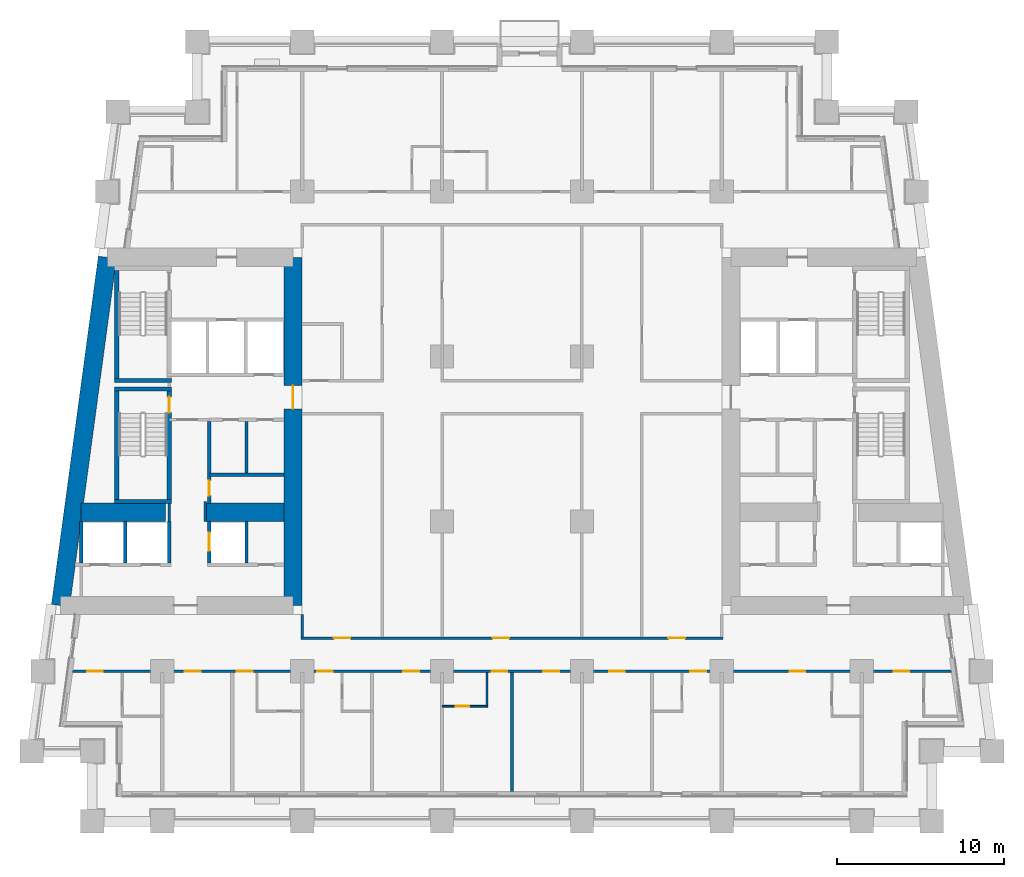
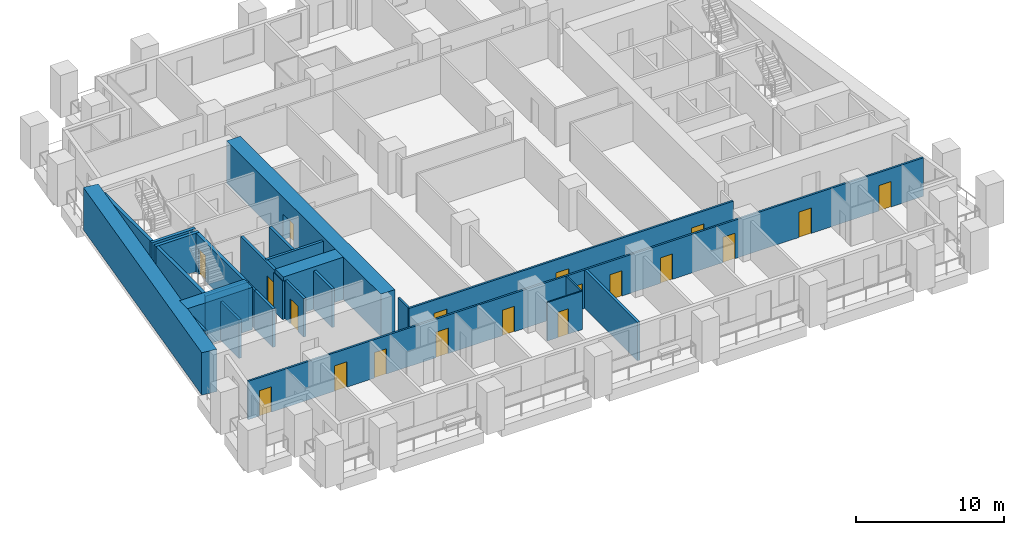
# One storey, part 3 of 12: 26 walls, 19 doors, 19 openings.
"""IFC4 building model written with IfcOpenShell, lengths in metres."""

from ifc_helpers import new_model, si_unit, direction, frame, frame_2d, origin, place, context, subcontext, project, spatial, rectangle, extrude, material, layer, layer_set, type_object, element, fill, save


model = new_model("IFC4")

# Units and contexts
model_context = context("Model", 3, precision=1e-05, world=origin(), true_north=direction((0.0, 1.0)))
body_context = subcontext(model_context, "Body", "Model", "MODEL_VIEW")
ifc_project = project(units=[si_unit("LENGTHUNIT", "METRE"), si_unit("AREAUNIT", "SQUARE_METRE"), si_unit("VOLUMEUNIT", "CUBIC_METRE"), si_unit("PLANEANGLEUNIT", "RADIAN"), si_unit("MASSUNIT", "GRAM", prefix="KILO")], contexts=[model_context])

# Site, building, storey
site_placement = place(None, origin())
site = spatial("IfcSite", under=ifc_project, at=site_placement, CompositionType="ELEMENT")
building_placement = place(site_placement, origin())
building = spatial("IfcBuilding", under=site, at=building_placement, Name="Candeia Pilgrim Tower and Theatre", CompositionType="ELEMENT")
storey_placement = place(building_placement, frame((0.0, 0.0, 49.5)))
storey = spatial("IfcBuildingStorey", under=building, at=storey_placement, Name="L09", CompositionType="ELEMENT", Elevation=49.5)

# Wall, opening, door
ifc_material_1 = material(Name="Concrete C80/95", Category="concrete")
ifc_layer_1 = layer(ifc_material_1, 1.10009765625)
ifc_layer_set_1 = layer_set([ifc_layer_1], Name="Core wall 1100 C80/95")
wall_type_1 = type_object("IfcWallType", Name="Core wall 1100 C80/95", PredefinedType="SHEAR", material=ifc_layer_set_1)
wall_1_placement = place(storey_placement, frame((100.25, 131.85009765625, 0.0), z_axis=(0.0, 0.0, 1.0), x_axis=(0.0, -1.0, 0.0)))
wall_1 = element("IfcWall", 1, at=wall_1_placement, inside=storey, type_object=wall_type_1, Name="Core wall W2", PredefinedType="SHEAR", context=body_context, shape_type="SweptSolid", body=[
    extrude(rectangle(XDim=20.900146484375, YDim=1.10009765625, at=frame_2d((10.4501953125, 0.0))), origin(), (0.0, 0.0, 1.0), 3.5),
])
opening_1_placement = place(wall_1_placement, frame((7.699951171875, 0.0, 0.0)))
opening_1 = element("IfcOpeningElement", 2, at=opening_1_placement, cuts=wall_1, Name="Opening L09-D056", PredefinedType="OPENING", context=body_context, shape_type="SweptSolid", body=[
    extrude(rectangle(XDim=1.39990234375, YDim=2.10009765625, at=frame_2d((0.699951171875, 1.050048828125))), frame((0.0, 0.56005859375, 0.0), z_axis=(0.0, -1.0, 0.0), x_axis=(1.0, 0.0, 0.0)), (0.0, 0.0, 1.0), 1.1201171875),
])
ifc_material_2 = material(Name="Steel fire door set", Category="steel")
door_type_1 = type_object("IfcDoorType", Name="D-1400-FD60", OperationType="NOTDEFINED", PredefinedType="DOOR", material=ifc_material_2)
door_1_placement = place(opening_1_placement, origin())
door_1 = element("IfcDoor", 3, at=door_1_placement, inside=storey, type_object=door_type_1, Name="Door L09-D056", OperationType="SINGLE_SWING_LEFT", OverallHeight=2.10009765625, OverallWidth=1.39990234375, PredefinedType="DOOR", context=body_context, shape_type="SweptSolid", body=[
    extrude(rectangle(XDim=1.39990234375, YDim=2.10009765625, at=frame_2d((0.699951171875, 1.050048828125))), frame((0.0, 0.02490234375, 0.0), z_axis=(0.0, -1.0, 0.0), x_axis=(1.0, 0.0, 0.0)), (0.0, 0.0, 1.0), 0.050048828125),
])
fill(opening_1, door_1)

# Walls
wall_2_placement = place(storey_placement, frame((86.29833984375, 110.949951171875, 0.0), z_axis=(0.0, 0.0, 1.0), x_axis=(0.133400422634, 0.99106222168, 0.0)))
element("IfcWall", 4, at=wall_2_placement, inside=storey, type_object=wall_type_1, Name="Core wall W4", PredefinedType="SHEAR", context=body_context, shape_type="SweptSolid", body=[
    extrude(rectangle(XDim=21.088623046875, YDim=1.10009765625, at=frame_2d((10.54443359375, 0.0))), origin(), (0.0, 0.0, 1.0), 3.5),
])
wall_3_placement = place(storey_placement, frame((87.523193359375, 116.550048828125, 0.0), z_axis=(0.0, 0.0, 1.0), x_axis=(1.0, 0.0, 0.0)))
element("IfcWall", 5, at=wall_3_placement, inside=storey, type_object=wall_type_1, Name="Core wall W5", PredefinedType="SHEAR", context=body_context, shape_type="SweptSolid", body=[
    extrude(rectangle(XDim=5.076904296875, YDim=1.10009765625, at=frame_2d((2.53857421875, 0.0))), origin(), (0.0, 0.0, 1.0), 3.5),
])
wall_4_placement = place(storey_placement, frame((95.0, 116.550048828125, 0.0), z_axis=(0.0, 0.0, 1.0), x_axis=(1.0, 0.0, 0.0)))
element("IfcWall", 6, at=wall_4_placement, inside=storey, type_object=wall_type_1, Name="Core wall W6", PredefinedType="SHEAR", context=body_context, shape_type="SweptSolid", body=[
    extrude(rectangle(XDim=4.699951171875, YDim=1.10009765625, at=frame_2d((2.35009765625, 0.0))), origin(), (0.0, 0.0, 1.0), 3.5),
])

# Wall, opening, door
ifc_material_3 = material(Name="Gypsum board partition on steel studs", Category="steel")
ifc_layer_2 = layer(ifc_material_3, 0.10009765625)
ifc_layer_set_2 = layer_set([ifc_layer_2], Name="PW-100 room partition")
wall_type_2 = type_object("IfcWallType", Name="PW-100 room partition", PredefinedType="PARTITIONING", material=ifc_layer_set_2)
wall_5_placement = place(storey_placement, frame((109.199951171875, 104.89990234375, 0.0), z_axis=(0.0, 0.0, 1.0), x_axis=(1.0, 0.0, 0.0)))
wall_5 = element("IfcWall", 7, at=wall_5_placement, inside=storey, type_object=wall_type_2, Name="Room partition L09-007", PredefinedType="PARTITIONING", context=body_context, shape_type="SweptSolid", body=[
    extrude(rectangle(XDim=2.75, YDim=0.10009765625, at=frame_2d((1.375, 0.0))), origin(), (0.0, 0.0, 1.0), 3.179931640625),
])
opening_2_placement = place(wall_5_placement, frame((0.830078125, 0.0, 0.0)))
opening_2 = element("IfcOpeningElement", 8, at=opening_2_placement, cuts=wall_5, Name="Opening L09-D026", PredefinedType="OPENING", context=body_context, shape_type="SweptSolid", body=[
    extrude(rectangle(XDim=0.800048828125, YDim=2.10009765625, at=frame_2d((0.39990234375, 1.050048828125))), frame((0.0, 0.06005859375, 0.0), z_axis=(0.0, -1.0, 0.0), x_axis=(1.0, 0.0, 0.0)), (0.0, 0.0, 1.0), 0.1201171875),
])
ifc_material_4 = material(Name="Timber door leaf", Category="wood")
door_type_2 = type_object("IfcDoorType", Name="D-800", OperationType="NOTDEFINED", PredefinedType="DOOR", material=ifc_material_4)
door_2_placement = place(opening_2_placement, origin())
door_2 = element("IfcDoor", 9, at=door_2_placement, inside=storey, type_object=door_type_2, Name="Door L09-D026", OperationType="SINGLE_SWING_LEFT", OverallHeight=2.10009765625, OverallWidth=0.800048828125, PredefinedType="DOOR", context=body_context, shape_type="SweptSolid", body=[
    extrude(rectangle(XDim=0.800048828125, YDim=2.10009765625, at=frame_2d((0.39990234375, 1.050048828125))), frame((0.0, 0.02490234375, 0.0), z_axis=(0.0, -1.0, 0.0), x_axis=(1.0, 0.0, 0.0)), (0.0, 0.0, 1.0), 0.050048828125),
])
fill(opening_2, door_2)

# Walls
wall_6_placement = place(storey_placement, frame((111.89990234375, 104.949951171875, 0.0), z_axis=(0.0, 0.0, 1.0), x_axis=(0.0, 1.0, 0.0)))
element("IfcWall", 10, at=wall_6_placement, inside=storey, type_object=wall_type_2, Name="Room partition L09-084", PredefinedType="PARTITIONING", context=body_context, shape_type="SweptSolid", body=[
    extrude(rectangle(XDim=1.97509765625, YDim=0.10009765625, at=frame_2d((0.987548828125, 0.0))), origin(), (0.0, 0.0, 1.0), 3.179931640625),
])
ifc_layer_3 = layer(ifc_material_3, 0.14990234375)
ifc_layer_set_3 = layer_set([ifc_layer_3], Name="PW-150 lobby wall")
wall_type_3 = type_object("IfcWallType", Name="PW-150 lobby wall", PredefinedType="PARTITIONING", material=ifc_layer_set_3)
wall_7_placement = place(storey_placement, frame((92.826904296875, 116.0, 0.0), z_axis=(0.0, 0.0, 1.0), x_axis=(0.0, 1.0, 0.0)))
element("IfcWall", 11, at=wall_7_placement, inside=storey, type_object=wall_type_3, Name="Lobby wall L09-055", PredefinedType="PARTITIONING", context=body_context, shape_type="SweptSolid", body=[
    extrude(rectangle(XDim=1.070068359375, YDim=0.14990234375, at=frame_2d((0.53515625, 0.0))), origin(), (0.0, 0.0, 1.0), 3.179931640625),
])
wall_8_placement = place(storey_placement, frame((95.0, 116.0, 0.0), z_axis=(0.0, 0.0, 1.0), x_axis=(0.0, 1.0, 0.0)))
element("IfcWall", 12, at=wall_8_placement, inside=storey, type_object=wall_type_3, Name="Lobby wall L09-060", PredefinedType="PARTITIONING", context=body_context, shape_type="SweptSolid", body=[
    extrude(rectangle(XDim=1.199951171875, YDim=0.14990234375, at=frame_2d((0.60009765625, 0.0))), origin(), (0.0, 0.0, 1.0), 3.179931640625),
])

# Wall, openings, doors
ifc_layer_4 = layer(ifc_material_3, 0.14990234375)
ifc_layer_set_4 = layer_set([ifc_layer_4], Name="PW-150 unit wall")
wall_type_4 = type_object("IfcWallType", Name="PW-150 unit wall", PredefinedType="PARTITIONING", material=ifc_layer_set_4)
wall_9_placement = place(storey_placement, frame((87.017578125, 107.0, 0.0), z_axis=(0.0, 0.0, 1.0), x_axis=(1.0, 0.0, 0.0)))
wall_9 = element("IfcWall", 13, at=wall_9_placement, inside=storey, type_object=wall_type_4, Name="Unit wall L09-008", PredefinedType="PARTITIONING", context=body_context, shape_type="SweptSolid", body=[
    extrude(rectangle(XDim=52.7646484375, YDim=0.14990234375, at=frame_2d((26.38232421875, 0.0))), origin(), (0.0, 0.0, 1.0), 3.179931640625),
])
opening_3_placement = place(wall_9_placement, frame((0.870361328125, 0.0, 0.0)))
opening_3 = element("IfcOpeningElement", 14, at=opening_3_placement, cuts=wall_9, Name="Opening L09-D017", PredefinedType="OPENING", context=body_context, shape_type="SweptSolid", body=[
    extrude(rectangle(XDim=0.949951171875, YDim=2.10009765625, at=frame_2d((0.47509765625, 1.050048828125))), frame((0.0, 0.0849609375, 0.0), z_axis=(0.0, -1.0, 0.0), x_axis=(1.0, 0.0, 0.0)), (0.0, 0.0, 1.0), 0.169921875),
])
opening_4_placement = place(wall_9_placement, frame((6.752197265625, 0.0, 0.0)))
opening_4 = element("IfcOpeningElement", 15, at=opening_4_placement, cuts=wall_9, Name="Opening L09-D019", PredefinedType="OPENING", context=body_context, shape_type="SweptSolid", body=[
    extrude(rectangle(XDim=0.949951171875, YDim=2.10009765625, at=frame_2d((0.47509765625, 1.050048828125))), frame((0.0, 0.0849609375, 0.0), z_axis=(0.0, -1.0, 0.0), x_axis=(1.0, 0.0, 0.0)), (0.0, 0.0, 1.0), 0.169921875),
])
opening_5_placement = place(wall_9_placement, frame((9.857421875, 0.0, 0.0)))
opening_5 = element("IfcOpeningElement", 16, at=opening_5_placement, cuts=wall_9, Name="Opening L09-D020", PredefinedType="OPENING", context=body_context, shape_type="SweptSolid", body=[
    extrude(rectangle(XDim=0.949951171875, YDim=2.10009765625, at=frame_2d((0.47509765625, 1.050048828125))), frame((0.0, 0.0849609375, 0.0), z_axis=(0.0, -1.0, 0.0), x_axis=(1.0, 0.0, 0.0)), (0.0, 0.0, 1.0), 0.169921875),
])
opening_6_placement = place(wall_9_placement, frame((14.682373046875, 0.0, 0.0)))
opening_6 = element("IfcOpeningElement", 17, at=opening_6_placement, cuts=wall_9, Name="Opening L09-D022", PredefinedType="OPENING", context=body_context, shape_type="SweptSolid", body=[
    extrude(rectangle(XDim=0.949951171875, YDim=2.10009765625, at=frame_2d((0.47509765625, 1.050048828125))), frame((0.0, 0.0849609375, 0.0), z_axis=(0.0, -1.0, 0.0), x_axis=(1.0, 0.0, 0.0)), (0.0, 0.0, 1.0), 0.169921875),
])
opening_7_placement = place(wall_9_placement, frame((19.8623046875, 0.0, 0.0)))
opening_7 = element("IfcOpeningElement", 18, at=opening_7_placement, cuts=wall_9, Name="Opening L09-D024", PredefinedType="OPENING", context=body_context, shape_type="SweptSolid", body=[
    extrude(rectangle(XDim=0.949951171875, YDim=2.10009765625, at=frame_2d((0.47509765625, 1.050048828125))), frame((0.0, 0.0849609375, 0.0), z_axis=(0.0, -1.0, 0.0), x_axis=(1.0, 0.0, 0.0)), (0.0, 0.0, 1.0), 0.169921875),
])
opening_8_placement = place(wall_9_placement, frame((25.1572265625, 0.0, 0.0)))
opening_8 = element("IfcOpeningElement", 19, at=opening_8_placement, cuts=wall_9, Name="Opening L09-D025", PredefinedType="OPENING", context=body_context, shape_type="SweptSolid", body=[
    extrude(rectangle(XDim=0.949951171875, YDim=2.10009765625, at=frame_2d((0.47509765625, 1.050048828125))), frame((0.0, 0.0849609375, 0.0), z_axis=(0.0, -1.0, 0.0), x_axis=(1.0, 0.0, 0.0)), (0.0, 0.0, 1.0), 0.169921875),
])
opening_9_placement = place(wall_9_placement, frame((28.26220703125, 0.0, 0.0)))
opening_9 = element("IfcOpeningElement", 20, at=opening_9_placement, cuts=wall_9, Name="Opening L09-D027", PredefinedType="OPENING", context=body_context, shape_type="SweptSolid", body=[
    extrude(rectangle(XDim=0.949951171875, YDim=2.10009765625, at=frame_2d((0.47509765625, 1.050048828125))), frame((0.0, 0.0849609375, 0.0), z_axis=(0.0, -1.0, 0.0), x_axis=(1.0, 0.0, 0.0)), (0.0, 0.0, 1.0), 0.169921875),
])
opening_10_placement = place(wall_9_placement, frame((32.207275390625, 0.0, 0.0)))
opening_10 = element("IfcOpeningElement", 21, at=opening_10_placement, cuts=wall_9, Name="Opening L09-D028", PredefinedType="OPENING", context=body_context, shape_type="SweptSolid", body=[
    extrude(rectangle(XDim=0.949951171875, YDim=2.10009765625, at=frame_2d((0.47509765625, 1.050048828125))), frame((0.0, 0.0849609375, 0.0), z_axis=(0.0, -1.0, 0.0), x_axis=(1.0, 0.0, 0.0)), (0.0, 0.0, 1.0), 0.169921875),
])
opening_11_placement = place(wall_9_placement, frame((37.09423828125, 0.0, 0.0)))
opening_11 = element("IfcOpeningElement", 22, at=opening_11_placement, cuts=wall_9, Name="Opening L09-D029", PredefinedType="OPENING", context=body_context, shape_type="SweptSolid", body=[
    extrude(rectangle(XDim=0.949951171875, YDim=2.10009765625, at=frame_2d((0.47509765625, 1.050048828125))), frame((0.0, 0.0849609375, 0.0), z_axis=(0.0, -1.0, 0.0), x_axis=(1.0, 0.0, 0.0)), (0.0, 0.0, 1.0), 0.169921875),
])
opening_12_placement = place(wall_9_placement, frame((43.04541015625, 0.0, 0.0)))
opening_12 = element("IfcOpeningElement", 23, at=opening_12_placement, cuts=wall_9, Name="Opening L09-D031", PredefinedType="OPENING", context=body_context, shape_type="SweptSolid", body=[
    extrude(rectangle(XDim=0.949951171875, YDim=2.10009765625, at=frame_2d((0.47509765625, 1.050048828125))), frame((0.0, 0.0849609375, 0.0), z_axis=(0.0, -1.0, 0.0), x_axis=(1.0, 0.0, 0.0)), (0.0, 0.0, 1.0), 0.169921875),
])
opening_13_placement = place(wall_9_placement, frame((49.285400390625, 0.0, 0.0)))
opening_13 = element("IfcOpeningElement", 24, at=opening_13_placement, cuts=wall_9, Name="Opening L09-D033", PredefinedType="OPENING", context=body_context, shape_type="SweptSolid", body=[
    extrude(rectangle(XDim=0.949951171875, YDim=2.10009765625, at=frame_2d((0.47509765625, 1.050048828125))), frame((0.0, 0.0849609375, 0.0), z_axis=(0.0, -1.0, 0.0), x_axis=(1.0, 0.0, 0.0)), (0.0, 0.0, 1.0), 0.169921875),
])
door_type_3 = type_object("IfcDoorType", Name="D-950-FD30S", OperationType="NOTDEFINED", PredefinedType="DOOR", material=ifc_material_2)
door_3_placement = place(opening_3_placement, origin())
door_3 = element("IfcDoor", 25, at=door_3_placement, inside=storey, type_object=door_type_3, Name="Door L09-D017", OperationType="SINGLE_SWING_RIGHT", OverallHeight=2.10009765625, OverallWidth=0.949951171875, PredefinedType="DOOR", context=body_context, shape_type="SweptSolid", body=[
    extrude(rectangle(XDim=0.949951171875, YDim=2.10009765625, at=frame_2d((0.47509765625, 1.050048828125))), frame((0.0, 0.02490234375, 0.0), z_axis=(0.0, -1.0, 0.0), x_axis=(1.0, 0.0, 0.0)), (0.0, 0.0, 1.0), 0.050048828125),
])
fill(opening_3, door_3)
door_4_placement = place(opening_4_placement, origin())
door_4 = element("IfcDoor", 26, at=door_4_placement, inside=storey, type_object=door_type_3, Name="Door L09-D019", OperationType="SINGLE_SWING_RIGHT", OverallHeight=2.10009765625, OverallWidth=0.949951171875, PredefinedType="DOOR", context=body_context, shape_type="SweptSolid", body=[
    extrude(rectangle(XDim=0.949951171875, YDim=2.10009765625, at=frame_2d((0.47509765625, 1.050048828125))), frame((0.0, 0.02490234375, 0.0), z_axis=(0.0, -1.0, 0.0), x_axis=(1.0, 0.0, 0.0)), (0.0, 0.0, 1.0), 0.050048828125),
])
fill(opening_4, door_4)
door_5_placement = place(opening_5_placement, origin())
door_5 = element("IfcDoor", 27, at=door_5_placement, inside=storey, type_object=door_type_3, Name="Door L09-D020", OperationType="SINGLE_SWING_LEFT", OverallHeight=2.10009765625, OverallWidth=0.949951171875, PredefinedType="DOOR", context=body_context, shape_type="SweptSolid", body=[
    extrude(rectangle(XDim=0.949951171875, YDim=2.10009765625, at=frame_2d((0.47509765625, 1.050048828125))), frame((0.0, 0.02490234375, 0.0), z_axis=(0.0, -1.0, 0.0), x_axis=(1.0, 0.0, 0.0)), (0.0, 0.0, 1.0), 0.050048828125),
])
fill(opening_5, door_5)
door_6_placement = place(opening_6_placement, origin())
door_6 = element("IfcDoor", 28, at=door_6_placement, inside=storey, type_object=door_type_3, Name="Door L09-D022", OperationType="SINGLE_SWING_LEFT", OverallHeight=2.10009765625, OverallWidth=0.949951171875, PredefinedType="DOOR", context=body_context, shape_type="SweptSolid", body=[
    extrude(rectangle(XDim=0.949951171875, YDim=2.10009765625, at=frame_2d((0.47509765625, 1.050048828125))), frame((0.0, 0.02490234375, 0.0), z_axis=(0.0, -1.0, 0.0), x_axis=(1.0, 0.0, 0.0)), (0.0, 0.0, 1.0), 0.050048828125),
])
fill(opening_6, door_6)
door_7_placement = place(opening_7_placement, origin())
door_7 = element("IfcDoor", 29, at=door_7_placement, inside=storey, type_object=door_type_3, Name="Door L09-D024", OperationType="SINGLE_SWING_LEFT", OverallHeight=2.10009765625, OverallWidth=0.949951171875, PredefinedType="DOOR", context=body_context, shape_type="SweptSolid", body=[
    extrude(rectangle(XDim=0.949951171875, YDim=2.10009765625, at=frame_2d((0.47509765625, 1.050048828125))), frame((0.0, 0.02490234375, 0.0), z_axis=(0.0, -1.0, 0.0), x_axis=(1.0, 0.0, 0.0)), (0.0, 0.0, 1.0), 0.050048828125),
])
fill(opening_7, door_7)
door_8_placement = place(opening_8_placement, origin())
door_8 = element("IfcDoor", 30, at=door_8_placement, inside=storey, type_object=door_type_3, Name="Door L09-D025", OperationType="SINGLE_SWING_RIGHT", OverallHeight=2.10009765625, OverallWidth=0.949951171875, PredefinedType="DOOR", context=body_context, shape_type="SweptSolid", body=[
    extrude(rectangle(XDim=0.949951171875, YDim=2.10009765625, at=frame_2d((0.47509765625, 1.050048828125))), frame((0.0, 0.02490234375, 0.0), z_axis=(0.0, -1.0, 0.0), x_axis=(1.0, 0.0, 0.0)), (0.0, 0.0, 1.0), 0.050048828125),
])
fill(opening_8, door_8)
door_9_placement = place(opening_9_placement, origin())
door_9 = element("IfcDoor", 31, at=door_9_placement, inside=storey, type_object=door_type_3, Name="Door L09-D027", OperationType="SINGLE_SWING_RIGHT", OverallHeight=2.10009765625, OverallWidth=0.949951171875, PredefinedType="DOOR", context=body_context, shape_type="SweptSolid", body=[
    extrude(rectangle(XDim=0.949951171875, YDim=2.10009765625, at=frame_2d((0.47509765625, 1.050048828125))), frame((0.0, 0.02490234375, 0.0), z_axis=(0.0, -1.0, 0.0), x_axis=(1.0, 0.0, 0.0)), (0.0, 0.0, 1.0), 0.050048828125),
])
fill(opening_9, door_9)
door_10_placement = place(opening_10_placement, origin())
door_10 = element("IfcDoor", 32, at=door_10_placement, inside=storey, type_object=door_type_3, Name="Door L09-D028", OperationType="SINGLE_SWING_LEFT", OverallHeight=2.10009765625, OverallWidth=0.949951171875, PredefinedType="DOOR", context=body_context, shape_type="SweptSolid", body=[
    extrude(rectangle(XDim=0.949951171875, YDim=2.10009765625, at=frame_2d((0.47509765625, 1.050048828125))), frame((0.0, 0.02490234375, 0.0), z_axis=(0.0, -1.0, 0.0), x_axis=(1.0, 0.0, 0.0)), (0.0, 0.0, 1.0), 0.050048828125),
])
fill(opening_10, door_10)
door_11_placement = place(opening_11_placement, origin())
door_11 = element("IfcDoor", 33, at=door_11_placement, inside=storey, type_object=door_type_3, Name="Door L09-D029", OperationType="SINGLE_SWING_RIGHT", OverallHeight=2.10009765625, OverallWidth=0.949951171875, PredefinedType="DOOR", context=body_context, shape_type="SweptSolid", body=[
    extrude(rectangle(XDim=0.949951171875, YDim=2.10009765625, at=frame_2d((0.47509765625, 1.050048828125))), frame((0.0, 0.02490234375, 0.0), z_axis=(0.0, -1.0, 0.0), x_axis=(1.0, 0.0, 0.0)), (0.0, 0.0, 1.0), 0.050048828125),
])
fill(opening_11, door_11)
door_12_placement = place(opening_12_placement, origin())
door_12 = element("IfcDoor", 34, at=door_12_placement, inside=storey, type_object=door_type_3, Name="Door L09-D031", OperationType="SINGLE_SWING_RIGHT", OverallHeight=2.10009765625, OverallWidth=0.949951171875, PredefinedType="DOOR", context=body_context, shape_type="SweptSolid", body=[
    extrude(rectangle(XDim=0.949951171875, YDim=2.10009765625, at=frame_2d((0.47509765625, 1.050048828125))), frame((0.0, 0.02490234375, 0.0), z_axis=(0.0, -1.0, 0.0), x_axis=(1.0, 0.0, 0.0)), (0.0, 0.0, 1.0), 0.050048828125),
])
fill(opening_12, door_12)
door_13_placement = place(opening_13_placement, origin())
door_13 = element("IfcDoor", 35, at=door_13_placement, inside=storey, type_object=door_type_3, Name="Door L09-D033", OperationType="SINGLE_SWING_RIGHT", OverallHeight=2.10009765625, OverallWidth=0.949951171875, PredefinedType="DOOR", context=body_context, shape_type="SweptSolid", body=[
    extrude(rectangle(XDim=0.949951171875, YDim=2.10009765625, at=frame_2d((0.47509765625, 1.050048828125))), frame((0.0, 0.02490234375, 0.0), z_axis=(0.0, -1.0, 0.0), x_axis=(1.0, 0.0, 0.0)), (0.0, 0.0, 1.0), 0.050048828125),
])
fill(opening_13, door_13)

wall_10_placement = place(storey_placement, frame((100.72509765625, 109.0, 0.0), z_axis=(0.0, 0.0, 1.0), x_axis=(1.0, 0.0, 0.0)))
wall_10 = element("IfcWall", 36, at=wall_10_placement, inside=storey, type_object=wall_type_4, Name="Unit wall L09-009", PredefinedType="PARTITIONING", context=body_context, shape_type="SweptSolid", body=[
    extrude(rectangle(XDim=25.349853515625, YDim=0.14990234375, at=frame_2d((12.6748046875, 0.0))), origin(), (0.0, 0.0, 1.0), 3.179931640625),
])
opening_14_placement = place(wall_10_placement, frame((1.97509765625, 0.0, 0.0)))
opening_14 = element("IfcOpeningElement", 37, at=opening_14_placement, cuts=wall_10, Name="Opening L09-D048", PredefinedType="OPENING", context=body_context, shape_type="SweptSolid", body=[
    extrude(rectangle(XDim=1.0, YDim=2.10009765625, at=frame_2d((0.5, 1.050048828125))), frame((0.0, 0.0849609375, 0.0), z_axis=(0.0, -1.0, 0.0), x_axis=(1.0, 0.0, 0.0)), (0.0, 0.0, 1.0), 0.169921875),
])
opening_15_placement = place(wall_10_placement, frame((11.5048828125, 0.0, 0.0)))
opening_15 = element("IfcOpeningElement", 38, at=opening_15_placement, cuts=wall_10, Name="Opening L09-D049", PredefinedType="OPENING", context=body_context, shape_type="SweptSolid", body=[
    extrude(rectangle(XDim=1.0, YDim=2.10009765625, at=frame_2d((0.5, 1.050048828125))), frame((0.0, 0.0849609375, 0.0), z_axis=(0.0, -1.0, 0.0), x_axis=(1.0, 0.0, 0.0)), (0.0, 0.0, 1.0), 0.169921875),
])
opening_16_placement = place(wall_10_placement, frame((22.06494140625, 0.0, 0.0)))
opening_16 = element("IfcOpeningElement", 39, at=opening_16_placement, cuts=wall_10, Name="Opening L09-D050", PredefinedType="OPENING", context=body_context, shape_type="SweptSolid", body=[
    extrude(rectangle(XDim=1.0, YDim=2.10009765625, at=frame_2d((0.5, 1.050048828125))), frame((0.0, 0.0849609375, 0.0), z_axis=(0.0, -1.0, 0.0), x_axis=(1.0, 0.0, 0.0)), (0.0, 0.0, 1.0), 0.169921875),
])
door_type_4 = type_object("IfcDoorType", Name="D-1000-FD30S", OperationType="NOTDEFINED", PredefinedType="DOOR", material=ifc_material_2)
door_14_placement = place(opening_14_placement, origin())
door_14 = element("IfcDoor", 40, at=door_14_placement, inside=storey, type_object=door_type_4, Name="Door L09-D048", OperationType="SINGLE_SWING_LEFT", OverallHeight=2.10009765625, OverallWidth=1.0, PredefinedType="DOOR", context=body_context, shape_type="SweptSolid", body=[
    extrude(rectangle(XDim=1.0, YDim=2.10009765625, at=frame_2d((0.5, 1.050048828125))), frame((0.0, 0.02490234375, 0.0), z_axis=(0.0, -1.0, 0.0), x_axis=(1.0, 0.0, 0.0)), (0.0, 0.0, 1.0), 0.050048828125),
])
fill(opening_14, door_14)
door_15_placement = place(opening_15_placement, origin())
door_15 = element("IfcDoor", 41, at=door_15_placement, inside=storey, type_object=door_type_4, Name="Door L09-D049", OperationType="SINGLE_SWING_RIGHT", OverallHeight=2.10009765625, OverallWidth=1.0, PredefinedType="DOOR", context=body_context, shape_type="SweptSolid", body=[
    extrude(rectangle(XDim=1.0, YDim=2.10009765625, at=frame_2d((0.5, 1.050048828125))), frame((0.0, 0.02490234375, 0.0), z_axis=(0.0, -1.0, 0.0), x_axis=(1.0, 0.0, 0.0)), (0.0, 0.0, 1.0), 0.050048828125),
])
fill(opening_15, door_15)
door_16_placement = place(opening_16_placement, origin())
door_16 = element("IfcDoor", 42, at=door_16_placement, inside=storey, type_object=door_type_4, Name="Door L09-D050", OperationType="SINGLE_SWING_LEFT", OverallHeight=2.10009765625, OverallWidth=1.0, PredefinedType="DOOR", context=body_context, shape_type="SweptSolid", body=[
    extrude(rectangle(XDim=1.0, YDim=2.10009765625, at=frame_2d((0.5, 1.050048828125))), frame((0.0, 0.02490234375, 0.0), z_axis=(0.0, -1.0, 0.0), x_axis=(1.0, 0.0, 0.0)), (0.0, 0.0, 1.0), 0.050048828125),
])
fill(opening_16, door_16)

# Walls
wall_11_placement = place(storey_placement, frame((100.800048828125, 109.074951171875, 0.0), z_axis=(0.0, 0.0, 1.0), x_axis=(0.0, 1.0, 0.0)))
element("IfcWall", 43, at=wall_11_placement, inside=storey, type_object=wall_type_4, Name="Unit wall L09-072", PredefinedType="PARTITIONING", context=body_context, shape_type="SweptSolid", body=[
    extrude(rectangle(XDim=1.324951171875, YDim=0.14990234375, at=frame_2d((0.66259765625, 0.0))), origin(), (0.0, 0.0, 1.0), 3.179931640625),
])
ifc_layer_5 = layer(ifc_material_3, 0.199951171875)
ifc_layer_set_5 = layer_set([ifc_layer_5], Name="PW-200 party wall")
wall_type_5 = type_object("IfcWallType", Name="PW-200 party wall", PredefinedType="PARTITIONING", material=ifc_layer_set_5)
wall_12_placement = place(storey_placement, frame((113.39990234375, 99.7900390625, 0.0), z_axis=(0.0, 0.0, 1.0), x_axis=(0.0, 1.0, 0.0)))
element("IfcWall", 44, at=wall_12_placement, inside=storey, type_object=wall_type_5, Name="Party wall L09-086", PredefinedType="PARTITIONING", context=body_context, shape_type="SweptSolid", body=[
    extrude(rectangle(XDim=7.135009765625, YDim=0.199951171875, at=frame_2d((3.5673828125, 0.0))), origin(), (0.0, 0.0, 1.0), 3.179931640625),
])
ifc_material_5 = material(Name="Concrete C40/50", Category="concrete")
ifc_layer_6 = layer(ifc_material_5, 0.199951171875)
ifc_layer_set_6 = layer_set([ifc_layer_6], Name="SW-200 shaft wall")
wall_type_6 = type_object("IfcWallType", Name="SW-200 shaft wall", PredefinedType="PARTITIONING", material=ifc_layer_set_6)
wall_13_placement = place(storey_placement, frame((95.22705078125, 118.800048828125, 0.0), z_axis=(0.0, 0.0, 1.0), x_axis=(1.0, 0.0, 0.0)))
element("IfcWall", 45, at=wall_13_placement, inside=storey, type_object=wall_type_6, Name="Shaft wall L09-016", PredefinedType="PARTITIONING", context=body_context, shape_type="SweptSolid", body=[
    extrude(rectangle(XDim=4.472900390625, YDim=0.199951171875, at=frame_2d((2.236328125, 0.0))), origin(), (0.0, 0.0, 1.0), 3.179931640625),
])
for number, where, z_axis, x_axis, name in (
    (46, (87.552001953125, 113.5, 0.0), (0.0, 0.0, 1.0), (0.0, 1.0, 0.0), "Shaft wall L09-047"),
    (47, (90.178466796875, 113.5, 0.0), (0.0, 0.0, 1.0), (0.0, 1.0, 0.0), "Shaft wall L09-052"),
    (48, (92.826904296875, 113.5, 0.0), (0.0, 0.0, 1.0), (0.0, 1.0, 0.0), "Shaft wall L09-054"),
):
    element("IfcWall", number, at=place(storey_placement, frame(where, z_axis=z_axis, x_axis=x_axis)), inside=storey, type_object=wall_type_6, Name=name, PredefinedType="PARTITIONING", context=body_context, shape_type="SweptSolid", body=[
        extrude(rectangle(XDim=2.5, YDim=0.199951171875, at=frame_2d((1.25, 0.0))), origin(), (0.0, 0.0, 1.0), 3.179931640625),
    ])

# Wall, opening, door
wall_14_placement = place(storey_placement, frame((95.22705078125, 113.5, 0.0), z_axis=(0.0, 0.0, 1.0), x_axis=(0.0, 1.0, 0.0)))
wall_14 = element("IfcWall", 49, at=wall_14_placement, inside=storey, type_object=wall_type_6, Name="Shaft wall L09-062", PredefinedType="PARTITIONING", context=body_context, shape_type="SweptSolid", body=[
    extrude(rectangle(XDim=2.5, YDim=0.199951171875, at=frame_2d((1.25, 0.0))), origin(), (0.0, 0.0, 1.0), 3.179931640625),
])
opening_17_placement = place(wall_14_placement, frame((0.72998046875, 0.0, 0.0)))
opening_17 = element("IfcOpeningElement", 50, at=opening_17_placement, cuts=wall_14, Name="Opening L09-LD05", PredefinedType="OPENING", context=body_context, shape_type="SweptSolid", body=[
    extrude(rectangle(XDim=1.10009765625, YDim=2.10009765625, at=frame_2d((0.550048828125, 1.050048828125))), frame((0.0, 0.10986328125, 0.0), z_axis=(0.0, -1.0, 0.0), x_axis=(1.0, 0.0, 0.0)), (0.0, 0.0, 1.0), 0.219970703125),
])
ifc_material_6 = material(Name="Glazed aluminium landing door", Category="aluminium")
door_type_5 = type_object("IfcDoorType", Name="LD-1100-EI120", OperationType="SLIDING_TO_LEFT", PredefinedType="DOOR", material=ifc_material_6)
door_17_placement = place(opening_17_placement, origin())
door_17 = element("IfcDoor", 51, at=door_17_placement, inside=storey, type_object=door_type_5, Name="Landing door 05 L09", OperationType="SLIDING_TO_LEFT", OverallHeight=2.10009765625, OverallWidth=1.10009765625, PredefinedType="DOOR", context=body_context, shape_type="SweptSolid", body=[
    extrude(rectangle(XDim=1.10009765625, YDim=2.10009765625, at=frame_2d((0.550048828125, 1.050048828125))), frame((0.0, 0.02490234375, 0.0), z_axis=(0.0, -1.0, 0.0), x_axis=(1.0, 0.0, 0.0)), (0.0, 0.0, 1.0), 0.050048828125),
])
fill(opening_17, door_17)

wall_15_placement = place(storey_placement, frame((95.22705078125, 117.070068359375, 0.0), z_axis=(0.0, 0.0, 1.0), x_axis=(0.0, 1.0, 0.0)))
wall_15 = element("IfcWall", 52, at=wall_15_placement, inside=storey, type_object=wall_type_6, Name="Shaft wall L09-063", PredefinedType="PARTITIONING", context=body_context, shape_type="SweptSolid", body=[
    extrude(rectangle(XDim=4.929931640625, YDim=0.199951171875, at=frame_2d((2.46484375, 0.0))), origin(), (0.0, 0.0, 1.0), 3.179931640625),
])
opening_18_placement = place(wall_15_placement, frame((0.47998046875, 0.0, 0.0)))
opening_18 = element("IfcOpeningElement", 53, at=opening_18_placement, cuts=wall_15, Name="Opening L09-D006", PredefinedType="OPENING", context=body_context, shape_type="SweptSolid", body=[
    extrude(rectangle(XDim=0.89990234375, YDim=2.10009765625, at=frame_2d((0.449951171875, 1.050048828125))), frame((0.0, 0.10986328125, 0.0), z_axis=(0.0, -1.0, 0.0), x_axis=(1.0, 0.0, 0.0)), (0.0, 0.0, 1.0), 0.219970703125),
])
door_type_6 = type_object("IfcDoorType", Name="D-900-FD60", OperationType="NOTDEFINED", PredefinedType="DOOR", material=ifc_material_2)
door_18_placement = place(opening_18_placement, origin())
door_18 = element("IfcDoor", 54, at=door_18_placement, inside=storey, type_object=door_type_6, Name="Door L09-D006", OperationType="SINGLE_SWING_LEFT", OverallHeight=2.10009765625, OverallWidth=0.89990234375, PredefinedType="DOOR", context=body_context, shape_type="SweptSolid", body=[
    extrude(rectangle(XDim=0.89990234375, YDim=2.10009765625, at=frame_2d((0.449951171875, 1.050048828125))), frame((0.0, 0.02490234375, 0.0), z_axis=(0.0, -1.0, 0.0), x_axis=(1.0, 0.0, 0.0)), (0.0, 0.0, 1.0), 0.050048828125),
])
fill(opening_18, door_18)

# Walls
wall_16_placement = place(storey_placement, frame((97.46337890625, 113.5, 0.0), z_axis=(0.0, 0.0, 1.0), x_axis=(0.0, 1.0, 0.0)))
element("IfcWall", 55, at=wall_16_placement, inside=storey, type_object=wall_type_6, Name="Shaft wall L09-067", PredefinedType="PARTITIONING", context=body_context, shape_type="SweptSolid", body=[
    extrude(rectangle(XDim=2.5, YDim=0.199951171875, at=frame_2d((1.25, 0.0))), origin(), (0.0, 0.0, 1.0), 3.179931640625),
])
wall_17_placement = place(storey_placement, frame((97.46337890625, 118.89990234375, 0.0), z_axis=(0.0, 0.0, 1.0), x_axis=(0.0, 1.0, 0.0)))
element("IfcWall", 56, at=wall_17_placement, inside=storey, type_object=wall_type_6, Name="Shaft wall L09-068", PredefinedType="PARTITIONING", context=body_context, shape_type="SweptSolid", body=[
    extrude(rectangle(XDim=3.10009765625, YDim=0.199951171875, at=frame_2d((1.550048828125, 0.0))), origin(), (0.0, 0.0, 1.0), 3.179931640625),
])
ifc_layer_7 = layer(ifc_material_5, 0.25)
ifc_layer_set_7 = layer_set([ifc_layer_7], Name="SW-250 stair wall")
wall_type_7 = type_object("IfcWallType", Name="SW-250 stair wall", PredefinedType="PARTITIONING", material=ifc_layer_set_7)
for number, where, z_axis, x_axis, name in (
    (57, (89.552001953125, 117.199951171875, 0.0), (0.0, 0.0, 1.0), (1.0, 0.0, 0.0), "Stair wall L09-014"),
    (58, (89.552001953125, 123.949951171875, 0.0), (0.0, 0.0, 1.0), (1.0, 0.0, 0.0), "Stair wall L09-025"),
    (59, (89.552001953125, 124.449951171875, 0.0), (0.0, 0.0, 1.0), (1.0, 0.0, 0.0), "Stair wall L09-027"),
):
    element("IfcWall", number, at=place(storey_placement, frame(where, z_axis=z_axis, x_axis=x_axis)), inside=storey, type_object=wall_type_7, Name=name, PredefinedType="PARTITIONING", context=body_context, shape_type="SweptSolid", body=[
        extrude(rectangle(XDim=3.39990234375, YDim=0.25, at=frame_2d((1.699951171875, 0.0))), origin(), (0.0, 0.0, 1.0), 3.179931640625),
    ])
wall_18_placement = place(storey_placement, frame((89.677001953125, 117.070068359375, 0.0), z_axis=(0.0, 0.0, 1.0), x_axis=(0.0, 1.0, 0.0)))
element("IfcWall", 60, at=wall_18_placement, inside=storey, type_object=wall_type_7, Name="Stair wall L09-049", PredefinedType="PARTITIONING", context=body_context, shape_type="SweptSolid", body=[
    extrude(rectangle(XDim=6.7548828125, YDim=0.25, at=frame_2d((3.37744140625, 0.0))), origin(), (0.0, 0.0, 1.0), 3.179931640625),
])
wall_19_placement = place(storey_placement, frame((89.677001953125, 124.574951171875, 0.0), z_axis=(0.0, 0.0, 1.0), x_axis=(0.0, 1.0, 0.0)))
element("IfcWall", 61, at=wall_19_placement, inside=storey, type_object=wall_type_7, Name="Stair wall L09-050", PredefinedType="PARTITIONING", context=body_context, shape_type="SweptSolid", body=[
    extrude(rectangle(XDim=6.5, YDim=0.25, at=frame_2d((3.25, 0.0))), origin(), (0.0, 0.0, 1.0), 3.179931640625),
])

# Wall, opening, door
wall_20_placement = place(storey_placement, frame((92.826904296875, 117.070068359375, 0.0), z_axis=(0.0, 0.0, 1.0), x_axis=(0.0, 1.0, 0.0)))
wall_20 = element("IfcWall", 62, at=wall_20_placement, inside=storey, type_object=wall_type_7, Name="Stair wall L09-057", PredefinedType="PARTITIONING", context=body_context, shape_type="SweptSolid", body=[
    extrude(rectangle(XDim=6.7548828125, YDim=0.25, at=frame_2d((3.37744140625, 0.0))), origin(), (0.0, 0.0, 1.0), 3.179931640625),
])
opening_19_placement = place(wall_20_placement, frame((5.455078125, 0.0, 0.0)))
opening_19 = element("IfcOpeningElement", 63, at=opening_19_placement, cuts=wall_20, Name="Opening L09-D004", PredefinedType="OPENING", context=body_context, shape_type="SweptSolid", body=[
    extrude(rectangle(XDim=0.949951171875, YDim=2.10009765625, at=frame_2d((0.47509765625, 1.050048828125))), frame((0.0, 0.135009765625, 0.0), z_axis=(0.0, -1.0, 0.0), x_axis=(1.0, 0.0, 0.0)), (0.0, 0.0, 1.0), 0.27001953125),
])
door_type_7 = type_object("IfcDoorType", Name="D-950-FD60", OperationType="NOTDEFINED", PredefinedType="DOOR", material=ifc_material_2)
door_19_placement = place(opening_19_placement, origin())
door_19 = element("IfcDoor", 64, at=door_19_placement, inside=storey, type_object=door_type_7, Name="Door L09-D004", OperationType="SINGLE_SWING_LEFT", OverallHeight=2.10009765625, OverallWidth=0.949951171875, PredefinedType="DOOR", context=body_context, shape_type="SweptSolid", body=[
    extrude(rectangle(XDim=0.949951171875, YDim=2.10009765625, at=frame_2d((0.47509765625, 1.050048828125))), frame((0.0, 0.02490234375, 0.0), z_axis=(0.0, -1.0, 0.0), x_axis=(1.0, 0.0, 0.0)), (0.0, 0.0, 1.0), 0.050048828125),
])
fill(opening_19, door_19)

save(model, "model.ifc")
